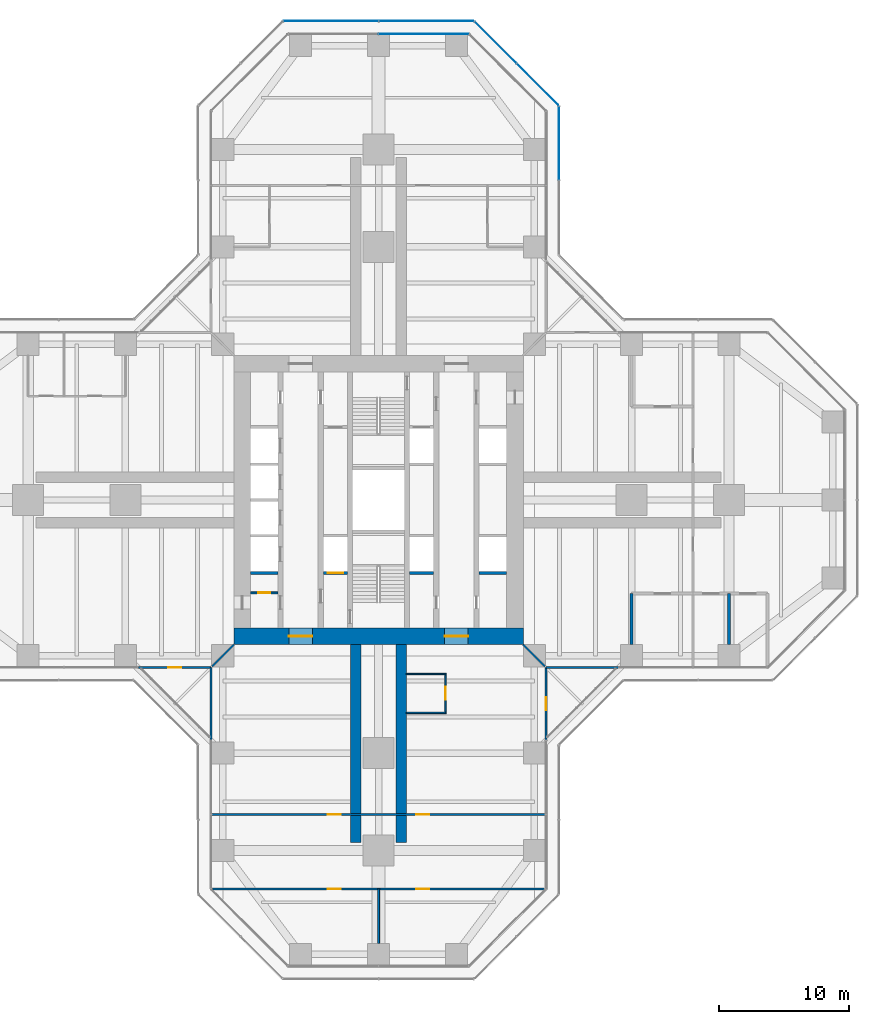
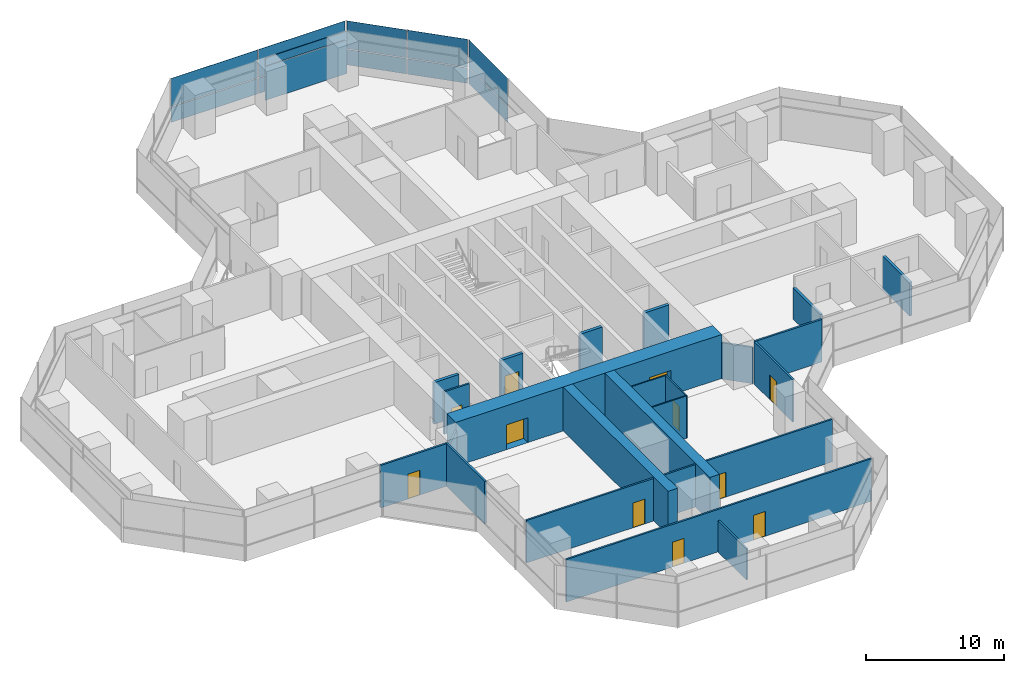
# One storey, part 17 of 22: 22 walls, 12 plates, 11 doors, 11 openings, 4 elements without a shape of their own.
"""IFC4 building model written with IfcOpenShell, lengths in metres."""

from ifc_helpers import new_model, si_unit, direction, frame, frame_2d, origin, origin_2d, place, context, subcontext, project, spatial, rectangle, extrude, material, layer, layer_set, type_object, element, fill, aggregate, save


model = new_model("IFC4")

# Units and contexts
model_context = context("Model", 3, precision=1e-05, world=origin(), true_north=direction((0.0, 1.0)))
body_context = subcontext(model_context, "Body", "Model", "MODEL_VIEW")
ifc_project = project(units=[si_unit("LENGTHUNIT", "METRE"), si_unit("AREAUNIT", "SQUARE_METRE"), si_unit("VOLUMEUNIT", "CUBIC_METRE"), si_unit("PLANEANGLEUNIT", "RADIAN"), si_unit("MASSUNIT", "GRAM", prefix="KILO")], contexts=[model_context])

# Site, building, storey
site_placement = place(None, origin())
site = spatial("IfcSite", under=ifc_project, at=site_placement, CompositionType="ELEMENT")
building_placement = place(site_placement, origin())
building = spatial("IfcBuilding", under=site, at=building_placement, Name="Mizan Broadcast Tower", CompositionType="ELEMENT")
storey_placement = place(building_placement, frame((0.0, 0.0, 86.39990234375)))
storey = spatial("IfcBuildingStorey", under=building, at=storey_placement, Name="L18", CompositionType="ELEMENT", Elevation=86.39990234375)

# Curtain wall, plates
ifc_material_1 = material(Name="Aluminium framed glazing", Category="aluminium")
curtain_wall_type_1 = type_object("IfcCurtainWallType", Name="INNER SKIN LOW ZONE", PredefinedType="USERDEFINED", material=ifc_material_1)
curtain_wall_1_placement = place(storey_placement, origin())
curtain_wall_1 = element("IfcCurtainWall", 1, at=curtain_wall_1_placement, inside=storey, type_object=curtain_wall_type_1, Name="Inner skin low zone L18 N end", ObjectType="INNER SKIN LOW ZONE", PredefinedType="USERDEFINED")
ifc_material_2 = material(Name="Double glazing, clear low-e", Category="glass")
ifc_layer_1 = layer(ifc_material_2, 0.028076171875)
ifc_layer_set_1 = layer_set([ifc_layer_1], Name="Double glazing, clear low-e")
plate_type_1 = type_object("IfcPlateType", Name="INNER SKIN GLAZING UNIT", PredefinedType="CURTAIN_PANEL", material=ifc_layer_set_1)
plate_1_placement = place(storey_placement, frame((3.46435546875, 35.89990234375, 0.0), z_axis=(0.0, 0.0, 1.0), x_axis=(-1.0, 0.0, 0.0)))
plate_1 = element("IfcPlate", 2, at=plate_1_placement, type_object=plate_type_1, Name="Inner skin low zone L18 N end panel 1.1", PredefinedType="CURTAIN_PANEL", context=body_context, shape_type="SweptSolid", body=[
    extrude(rectangle(XDim=6.86865234375, YDim=0.028076171875, at=origin_2d()), origin(), (0.0, 0.0, 1.0), 3.0),
])
ifc_material_3 = material(Name="Insulated aluminium spandrel panel, pale anodised", Category="aluminium")
ifc_layer_2 = layer(ifc_material_3, 0.050048828125)
ifc_layer_set_2 = layer_set([ifc_layer_2], Name="Insulated aluminium spandrel panel, pale anodised")
plate_type_2 = type_object("IfcPlateType", Name="INNER SKIN SPANDREL PANEL", PredefinedType="CURTAIN_PANEL", material=ifc_layer_set_2)
plate_2_placement = place(storey_placement, frame((3.46435546875, 35.89990234375, 3.06005859375), z_axis=(0.0, 0.0, 1.0), x_axis=(-1.0, 0.0, 0.0)))
plate_2 = element("IfcPlate", 3, at=plate_2_placement, type_object=plate_type_2, Name="Inner skin low zone L18 N end panel 1.2", PredefinedType="CURTAIN_PANEL", context=body_context, shape_type="SweptSolid", body=[
    extrude(rectangle(XDim=6.86865234375, YDim=0.050048828125, at=origin_2d()), origin(), (0.0, 0.0, 1.0), 0.7099609375),
])
aggregate(curtain_wall_1, [plate_1, plate_2])

ifc_material_4 = material(Name="Aluminium framed glazing", Category="aluminium")
curtain_wall_type_2 = type_object("IfcCurtainWallType", Name="OUTER SKIN", PredefinedType="USERDEFINED", material=ifc_material_4)
curtain_wall_2_placement = place(storey_placement, origin())
curtain_wall_2 = element("IfcCurtainWall", 4, at=curtain_wall_2_placement, inside=storey, type_object=curtain_wall_type_2, Name="Outer skin L18 N chamfer", ObjectType="OUTER SKIN", PredefinedType="USERDEFINED")
ifc_material_5 = material(Name="Laminated clear glass", Category="glass")
ifc_layer_3 = layer(ifc_material_5, 0.02001953125)
ifc_layer_set_3 = layer_set([ifc_layer_3], Name="Laminated clear glass")
plate_type_3 = type_object("IfcPlateType", Name="OUTER SKIN CLEAR GLASS", PredefinedType="CURTAIN_PANEL", material=ifc_layer_set_3)
plate_3_placement = place(storey_placement, frame((12.254150390625, 32.018798828125, 0.0), z_axis=(0.0, 0.0, 1.0), x_axis=(-0.707106781187, 0.707106781187, 0.0)))
plate_3 = element("IfcPlate", 5, at=plate_3_placement, type_object=plate_type_3, Name="Outer skin L18 N chamfer panel 1.1", PredefinedType="CURTAIN_PANEL", context=body_context, shape_type="SweptSolid", body=[
    extrude(rectangle(XDim=4.495361328125, YDim=0.02001953125, at=origin_2d()), origin(), (0.0, 0.0, 1.0), 1.3701171875),
])
plate_4_placement = place(storey_placement, frame((12.254150390625, 32.018798828125, 1.43017578125), z_axis=(0.0, 0.0, 1.0), x_axis=(-0.707106781187, 0.707106781187, 0.0)))
plate_4 = element("IfcPlate", 6, at=plate_4_placement, type_object=plate_type_3, Name="Outer skin L18 N chamfer panel 1.2", PredefinedType="CURTAIN_PANEL", context=body_context, shape_type="SweptSolid", body=[
    extrude(rectangle(XDim=4.495361328125, YDim=0.02001953125, at=origin_2d()), origin(), (0.0, 0.0, 1.0), 2.469970703125),
])

curtain_wall_3_placement = place(storey_placement, origin())
curtain_wall_3 = element("IfcCurtainWall", 7, at=curtain_wall_3_placement, inside=storey, type_object=curtain_wall_type_2, Name="Outer skin L18 N end", ObjectType="OUTER SKIN", PredefinedType="USERDEFINED")
plate_5_placement = place(storey_placement, frame((3.66650390625, 36.89990234375, 0.0), z_axis=(0.0, 0.0, 1.0), x_axis=(-1.0, 0.0, 0.0)))
plate_5 = element("IfcPlate", 8, at=plate_5_placement, type_object=plate_type_3, Name="Outer skin L18 N end panel 1.1", PredefinedType="CURTAIN_PANEL", context=body_context, shape_type="SweptSolid", body=[
    extrude(rectangle(XDim=7.252685546875, YDim=0.02001953125, at=origin_2d()), origin(), (0.0, 0.0, 1.0), 1.3701171875),
])
plate_6_placement = place(storey_placement, frame((3.66650390625, 36.89990234375, 1.43017578125), z_axis=(0.0, 0.0, 1.0), x_axis=(-1.0, 0.0, 0.0)))
plate_6 = element("IfcPlate", 9, at=plate_6_placement, type_object=plate_type_3, Name="Outer skin L18 N end panel 1.2", PredefinedType="CURTAIN_PANEL", context=body_context, shape_type="SweptSolid", body=[
    extrude(rectangle(XDim=7.252685546875, YDim=0.02001953125, at=origin_2d()), origin(), (0.0, 0.0, 1.0), 2.469970703125),
])
plate_7_placement = place(storey_placement, frame((-3.66650390625, 36.89990234375, 0.0), z_axis=(0.0, 0.0, 1.0), x_axis=(-1.0, 0.0, 0.0)))
plate_7 = element("IfcPlate", 10, at=plate_7_placement, type_object=plate_type_3, Name="Outer skin L18 N end panel 2.1", PredefinedType="CURTAIN_PANEL", context=body_context, shape_type="SweptSolid", body=[
    extrude(rectangle(XDim=7.252685546875, YDim=0.02001953125, at=origin_2d()), origin(), (0.0, 0.0, 1.0), 1.3701171875),
])
plate_8_placement = place(storey_placement, frame((-3.66650390625, 36.89990234375, 1.43017578125), z_axis=(0.0, 0.0, 1.0), x_axis=(-1.0, 0.0, 0.0)))
plate_8 = element("IfcPlate", 11, at=plate_8_placement, type_object=plate_type_3, Name="Outer skin L18 N end panel 2.2", PredefinedType="CURTAIN_PANEL", context=body_context, shape_type="SweptSolid", body=[
    extrude(rectangle(XDim=7.252685546875, YDim=0.02001953125, at=origin_2d()), origin(), (0.0, 0.0, 1.0), 2.469970703125),
])
aggregate(curtain_wall_3, [plate_5, plate_6, plate_7, plate_8])

curtain_wall_4_placement = place(storey_placement, origin())
curtain_wall_4 = element("IfcCurtainWall", 12, at=curtain_wall_4_placement, inside=storey, type_object=curtain_wall_type_2, Name="Outer skin L18 N side", ObjectType="OUTER SKIN", PredefinedType="USERDEFINED")
ifc_material_6 = material(Name="Perforated aluminium, pale anodised", Category="aluminium")
ifc_layer_4 = layer(ifc_material_6, 0.011962890625)
ifc_layer_set_4 = layer_set([ifc_layer_4], Name="Perforated aluminium, pale anodised")
plate_type_4 = type_object("IfcPlateType", Name="OUTER SKIN PERFORATED SCREEN", PredefinedType="USERDEFINED", material=ifc_layer_set_4)
plate_9_placement = place(storey_placement, frame((13.89990234375, 27.477783203125, 0.0), z_axis=(0.0, 0.0, 1.0), x_axis=(0.0, 1.0, 0.0)))
plate_9 = element("IfcPlate", 13, at=plate_9_placement, type_object=plate_type_4, Name="Outer skin L18 N side panel 2.1", ObjectType="SCREEN", PredefinedType="USERDEFINED", context=body_context, shape_type="SweptSolid", body=[
    extrude(rectangle(XDim=5.6298828125, YDim=0.011962890625, at=origin_2d()), origin(), (0.0, 0.0, 1.0), 1.3701171875),
])
plate_10_placement = place(storey_placement, frame((13.89990234375, 27.477783203125, 1.43017578125), z_axis=(0.0, 0.0, 1.0), x_axis=(0.0, 1.0, 0.0)))
plate_10 = element("IfcPlate", 14, at=plate_10_placement, type_object=plate_type_4, Name="Outer skin L18 N side panel 2.2", ObjectType="SCREEN", PredefinedType="USERDEFINED", context=body_context, shape_type="SweptSolid", body=[
    extrude(rectangle(XDim=5.6298828125, YDim=0.011962890625, at=origin_2d()), origin(), (0.0, 0.0, 1.0), 2.469970703125),
])
aggregate(curtain_wall_4, [plate_9, plate_10])

# Plate
plate_11_placement = place(storey_placement, frame((9.018798828125, 35.254150390625, 0.0), z_axis=(0.0, 0.0, 1.0), x_axis=(-0.707106781187, 0.707106781187, 0.0)))
plate_11 = element("IfcPlate", 15, at=plate_11_placement, type_object=plate_type_4, Name="Outer skin L18 N chamfer panel 2.1", ObjectType="SCREEN", PredefinedType="USERDEFINED", context=body_context, shape_type="SweptSolid", body=[
    extrude(rectangle(XDim=4.495361328125, YDim=0.011962890625, at=origin_2d()), origin(), (0.0, 0.0, 1.0), 1.3701171875),
])

plate_12_placement = place(storey_placement, frame((9.018798828125, 35.254150390625, 1.43017578125), z_axis=(0.0, 0.0, 1.0), x_axis=(-0.707106781187, 0.707106781187, 0.0)))
plate_12 = element("IfcPlate", 16, at=plate_12_placement, type_object=plate_type_4, Name="Outer skin L18 N chamfer panel 2.2", ObjectType="SCREEN", PredefinedType="USERDEFINED", context=body_context, shape_type="SweptSolid", body=[
    extrude(rectangle(XDim=4.495361328125, YDim=0.011962890625, at=origin_2d()), origin(), (0.0, 0.0, 1.0), 2.469970703125),
])

aggregate(curtain_wall_2, [plate_3, plate_4, plate_11, plate_12])

# Wall, opening, door
ifc_material_7 = material(Name="Concrete blockwork", Category="masonry")
ifc_layer_5 = layer(ifc_material_7, 0.14990234375)
ifc_layer_set_5 = layer_set([ifc_layer_5], Name="Concrete blockwork")
wall_type_1 = type_object("IfcWallType", Name="CORE PARTITION 150", PredefinedType="SOLIDWALL", material=ifc_layer_set_5)
wall_1_placement = place(storey_placement, frame((-9.85009765625, -7.14990234375, 0.0), z_axis=(0.0, 0.0, 1.0), x_axis=(1.0, 0.0, 0.0)))
wall_1 = element("IfcWall", 17, at=wall_1_placement, inside=storey, type_object=wall_type_1, Name="Core partition CORE/XPW", PredefinedType="SOLIDWALL", context=body_context, shape_type="SweptSolid", body=[
    extrude(rectangle(XDim=2.10009765625, YDim=0.14990234375, at=frame_2d((1.050048828125, 0.0))), origin(), (0.0, 0.0, 1.0), 3.77001953125),
])
opening_1_placement = place(wall_1_placement, frame((0.60009765625, 0.0, 0.0)))
opening_1 = element("IfcOpeningElement", 18, at=opening_1_placement, cuts=wall_1, Name="Opening D09F", PredefinedType="OPENING", context=body_context, shape_type="SweptSolid", body=[
    extrude(rectangle(XDim=0.89990234375, YDim=2.10009765625, at=frame_2d((0.449951171875, 1.050048828125))), frame((0.0, 0.0849609375, 0.0), z_axis=(0.0, -1.0, 0.0), x_axis=(1.0, 0.0, 0.0)), (0.0, 0.0, 1.0), 0.169921875),
])
ifc_material_8 = material(Name="Steel door leaf in steel frame", Category="steel")
door_type_1 = type_object("IfcDoorType", Name="CORE ROOM DOOR 900 FD90", OperationType="SINGLE_SWING_LEFT", PredefinedType="DOOR", material=ifc_material_8)
door_1_placement = place(opening_1_placement, origin())
door_1 = element("IfcDoor", 19, at=door_1_placement, inside=storey, type_object=door_type_1, Name="Comms cupboard door", OperationType="SINGLE_SWING_RIGHT", OverallHeight=2.10009765625, OverallWidth=0.89990234375, PredefinedType="DOOR", context=body_context, shape_type="SweptSolid", body=[
    extrude(rectangle(XDim=0.89990234375, YDim=2.10009765625, at=frame_2d((0.449951171875, 1.050048828125))), frame((0.0, 0.02490234375, 0.0), z_axis=(0.0, -1.0, 0.0), x_axis=(1.0, 0.0, 0.0)), (0.0, 0.0, 1.0), 0.050048828125),
])
fill(opening_1, door_1)

# Wall, openings, doors
ifc_material_9 = material(Name="Concrete C70/85", Category="concrete")
ifc_layer_6 = layer(ifc_material_9, 1.300048828125)
ifc_layer_set_6 = layer_set([ifc_layer_6], Name="Concrete C70/85")
wall_type_2 = type_object("IfcWallType", Name="CORE WALL 1300", PredefinedType="SHEAR", material=ifc_layer_set_6)
wall_2_placement = place(storey_placement, frame((11.14990234375, -10.5, 0.0), z_axis=(0.0, 0.0, 1.0), x_axis=(-1.0, 0.0, 0.0)))
wall_2 = element("IfcWall", 20, at=wall_2_placement, inside=storey, type_object=wall_type_2, Name="Core wall S L18", PredefinedType="SHEAR", context=body_context, shape_type="SweptSolid", body=[
    extrude(rectangle(XDim=22.2998046875, YDim=1.300048828125, at=frame_2d((11.14990234375, 0.0))), origin(), (0.0, 0.0, 1.0), 3.900146484375),
])
opening_2_placement = place(wall_2_placement, frame((16.25, 0.0, 0.0)))
opening_2 = element("IfcOpeningElement", 21, at=opening_2_placement, cuts=wall_2, Name="Opening D18F", PredefinedType="OPENING", context=body_context, shape_type="SweptSolid", body=[
    extrude(rectangle(XDim=1.800048828125, YDim=2.199951171875, at=frame_2d((0.89990234375, 1.10009765625))), frame((0.0, 0.659912109375, 0.0), z_axis=(0.0, -1.0, 0.0), x_axis=(1.0, 0.0, 0.0)), (0.0, 0.0, 1.0), 1.320068359375),
])
opening_3_placement = place(wall_2_placement, frame((4.25, 0.0, 0.0)))
opening_3 = element("IfcOpeningElement", 22, at=opening_3_placement, cuts=wall_2, Name="Opening D18F", PredefinedType="OPENING", context=body_context, shape_type="SweptSolid", body=[
    extrude(rectangle(XDim=1.800048828125, YDim=2.199951171875, at=frame_2d((0.89990234375, 1.10009765625))), frame((0.0, 0.659912109375, 0.0), z_axis=(0.0, -1.0, 0.0), x_axis=(1.0, 0.0, 0.0)), (0.0, 0.0, 1.0), 1.320068359375),
])
ifc_material_10 = material(Name="Steel door leaf in steel frame", Category="steel")
door_type_2 = type_object("IfcDoorType", Name="LOBBY DOUBLE DOOR 1800 FD90", OperationType="DOUBLE_DOOR_DOUBLE_SWING", PredefinedType="DOOR", material=ifc_material_10)
door_2_placement = place(opening_2_placement, origin())
door_2 = element("IfcDoor", 23, at=door_2_placement, inside=storey, type_object=door_type_2, Name="West lift lobby south door", OperationType="DOUBLE_DOOR_DOUBLE_SWING", OverallHeight=2.199951171875, OverallWidth=1.800048828125, PredefinedType="DOOR", context=body_context, shape_type="SweptSolid", body=[
    extrude(rectangle(XDim=1.800048828125, YDim=2.199951171875, at=frame_2d((0.89990234375, 1.10009765625))), frame((0.0, 0.02490234375, 0.0), z_axis=(0.0, -1.0, 0.0), x_axis=(1.0, 0.0, 0.0)), (0.0, 0.0, 1.0), 0.050048828125),
])
fill(opening_2, door_2)
door_3_placement = place(opening_3_placement, origin())
door_3 = element("IfcDoor", 24, at=door_3_placement, inside=storey, type_object=door_type_2, Name="East lift lobby south door", OperationType="DOUBLE_DOOR_DOUBLE_SWING", OverallHeight=2.199951171875, OverallWidth=1.800048828125, PredefinedType="DOOR", context=body_context, shape_type="SweptSolid", body=[
    extrude(rectangle(XDim=1.800048828125, YDim=2.199951171875, at=frame_2d((0.89990234375, 1.10009765625))), frame((0.0, 0.02490234375, 0.0), z_axis=(0.0, -1.0, 0.0), x_axis=(1.0, 0.0, 0.0)), (0.0, 0.0, 1.0), 0.050048828125),
])
fill(opening_3, door_3)

# Wall
ifc_material_11 = material(Name="Aluminium framed glazed screen", Category="aluminium")
ifc_layer_7 = layer(ifc_material_11, 0.159912109375)
ifc_layer_set_7 = layer_set([ifc_layer_7], Name="Aluminium framed glazed screen")
wall_type_3 = type_object("IfcWallType", Name="GLAZED SCREEN WALL 160", PredefinedType="SOLIDWALL", material=ifc_layer_set_7)
wall_3_placement = place(storey_placement, frame((12.89990234375, -12.89990234375, 0.0), z_axis=(0.0, 0.0, 1.0), x_axis=(1.0, 0.0, 0.0)))
element("IfcWall", 25, at=wall_3_placement, inside=storey, type_object=wall_type_3, Name="Winter garden screen L18 E", PredefinedType="SOLIDWALL", context=body_context, shape_type="SweptSolid", body=[
    extrude(rectangle(XDim=5.60009765625, YDim=0.159912109375, at=frame_2d((2.800048828125, 0.0))), origin(), (0.0, 0.0, 1.0), 3.77001953125),
])

# Wall, opening, door
wall_4_placement = place(storey_placement, frame((-18.5, -12.89990234375, 0.0), z_axis=(0.0, 0.0, 1.0), x_axis=(1.0, 0.0, 0.0)))
wall_4 = element("IfcWall", 26, at=wall_4_placement, inside=storey, type_object=wall_type_3, Name="Winter garden screen L18 W", PredefinedType="SOLIDWALL", context=body_context, shape_type="SweptSolid", body=[
    extrude(rectangle(XDim=5.60009765625, YDim=0.159912109375, at=frame_2d((2.800048828125, 0.0))), origin(), (0.0, 0.0, 1.0), 3.77001953125),
])
opening_4_placement = place(wall_4_placement, frame((2.300048828125, 0.0, 0.0)))
opening_4 = element("IfcOpeningElement", 27, at=opening_4_placement, cuts=wall_4, Name="Opening WGD", PredefinedType="OPENING", context=body_context, shape_type="SweptSolid", body=[
    extrude(rectangle(XDim=1.0, YDim=2.199951171875, at=frame_2d((0.5, 1.10009765625))), frame((0.0, 0.08984375, 0.0), z_axis=(0.0, -1.0, 0.0), x_axis=(1.0, 0.0, 0.0)), (0.0, 0.0, 1.0), 0.179931640625),
])
ifc_material_12 = material(Name="Aluminium framed glazed door", Category="aluminium")
door_type_3 = type_object("IfcDoorType", Name="WINTER GARDEN DOOR 1000 GLAZED", OperationType="SINGLE_SWING_LEFT", PredefinedType="DOOR", material=ifc_material_12)
door_4_placement = place(opening_4_placement, origin())
door_4 = element("IfcDoor", 28, at=door_4_placement, inside=storey, type_object=door_type_3, Name="Winter garden door L18 W", OperationType="SINGLE_SWING_RIGHT", OverallHeight=2.199951171875, OverallWidth=1.0, PredefinedType="DOOR", context=body_context, shape_type="SweptSolid", body=[
    extrude(rectangle(XDim=1.0, YDim=2.199951171875, at=frame_2d((0.5, 1.10009765625))), frame((0.0, 0.02490234375, 0.0), z_axis=(0.0, -1.0, 0.0), x_axis=(1.0, 0.0, 0.0)), (0.0, 0.0, 1.0), 0.050048828125),
])
fill(opening_4, door_4)

# Wall
wall_5_placement = place(storey_placement, frame((-12.89990234375, -12.89990234375, 0.0), z_axis=(0.0, 0.0, 1.0), x_axis=(0.0, -1.0, 0.0)))
element("IfcWall", 29, at=wall_5_placement, inside=storey, type_object=wall_type_3, Name="Winter garden screen L18 S", PredefinedType="SOLIDWALL", context=body_context, shape_type="SweptSolid", body=[
    extrude(rectangle(XDim=5.60009765625, YDim=0.159912109375, at=frame_2d((2.800048828125, 0.0))), origin(), (0.0, 0.0, 1.0), 3.77001953125),
])

# Wall, opening, door
wall_6_placement = place(storey_placement, frame((12.89990234375, -18.5, 0.0), z_axis=(0.0, 0.0, 1.0), x_axis=(0.0, 1.0, 0.0)))
wall_6 = element("IfcWall", 30, at=wall_6_placement, inside=storey, type_object=wall_type_3, Name="Winter garden screen L18 S", PredefinedType="SOLIDWALL", context=body_context, shape_type="SweptSolid", body=[
    extrude(rectangle(XDim=5.60009765625, YDim=0.159912109375, at=frame_2d((2.800048828125, 0.0))), origin(), (0.0, 0.0, 1.0), 3.77001953125),
])
opening_5_placement = place(wall_6_placement, frame((2.300048828125, 0.0, 0.0)))
opening_5 = element("IfcOpeningElement", 31, at=opening_5_placement, cuts=wall_6, Name="Opening WGD", PredefinedType="OPENING", context=body_context, shape_type="SweptSolid", body=[
    extrude(rectangle(XDim=1.0, YDim=2.199951171875, at=frame_2d((0.5, 1.10009765625))), frame((0.0, 0.08984375, 0.0), z_axis=(0.0, -1.0, 0.0), x_axis=(1.0, 0.0, 0.0)), (0.0, 0.0, 1.0), 0.179931640625),
])
door_5_placement = place(opening_5_placement, origin())
door_5 = element("IfcDoor", 32, at=door_5_placement, inside=storey, type_object=door_type_3, Name="Winter garden door L18 S", OperationType="SINGLE_SWING_RIGHT", OverallHeight=2.199951171875, OverallWidth=1.0, PredefinedType="DOOR", context=body_context, shape_type="SweptSolid", body=[
    extrude(rectangle(XDim=1.0, YDim=2.199951171875, at=frame_2d((0.5, 1.10009765625))), frame((0.0, 0.02490234375, 0.0), z_axis=(0.0, -1.0, 0.0), x_axis=(1.0, 0.0, 0.0)), (0.0, 0.0, 1.0), 0.050048828125),
])
fill(opening_5, door_5)

# Wall
ifc_material_13 = material(Name="Concrete blockwork", Category="masonry")
ifc_layer_8 = layer(ifc_material_13, 0.25)
ifc_layer_set_8 = layer_set([ifc_layer_8], Name="Concrete blockwork")
wall_type_4 = type_object("IfcWallType", Name="LOBBY ENCLOSURE WALL 250", PredefinedType="SOLIDWALL", material=ifc_layer_set_8)
wall_7_placement = place(storey_placement, frame((-9.85009765625, -5.625, 0.0), z_axis=(0.0, 0.0, 1.0), x_axis=(1.0, 0.0, 0.0)))
element("IfcWall", 33, at=wall_7_placement, inside=storey, type_object=wall_type_4, Name="Lobby enclosure wall CORE/BW1S", PredefinedType="SOLIDWALL", context=body_context, shape_type="SweptSolid", body=[
    extrude(rectangle(XDim=2.10009765625, YDim=0.25, at=frame_2d((1.050048828125, 0.0))), origin(), (0.0, 0.0, 1.0), 3.7001953125),
])

# Wall, opening, door
wall_8_placement = place(storey_placement, frame((-4.25, -5.625, 0.0), z_axis=(0.0, 0.0, 1.0), x_axis=(1.0, 0.0, 0.0)))
wall_8 = element("IfcWall", 34, at=wall_8_placement, inside=storey, type_object=wall_type_4, Name="Lobby enclosure wall CORE/BW2S", PredefinedType="SOLIDWALL", context=body_context, shape_type="SweptSolid", body=[
    extrude(rectangle(XDim=1.85009765625, YDim=0.25, at=frame_2d((0.925048828125, 0.0))), origin(), (0.0, 0.0, 1.0), 3.7001953125),
])
opening_6_placement = place(wall_8_placement, frame((0.324951171875, 0.0, 0.0)))
opening_6 = element("IfcOpeningElement", 35, at=opening_6_placement, cuts=wall_8, Name="Opening LDF", PredefinedType="OPENING", context=body_context, shape_type="SweptSolid", body=[
    extrude(rectangle(XDim=1.199951171875, YDim=2.199951171875, at=frame_2d((0.60009765625, 1.10009765625))), frame((0.0, 0.135009765625, 0.0), z_axis=(0.0, -1.0, 0.0), x_axis=(1.0, 0.0, 0.0)), (0.0, 0.0, 1.0), 0.27001953125),
])
ifc_material_14 = material(Name="Steel door leaf in steel frame", Category="steel")
door_type_4 = type_object("IfcDoorType", Name="FIREFIGHTING LIFT LANDING DOOR 1200", OperationType="SLIDING_TO_LEFT", PredefinedType="DOOR", material=ifc_material_14)
door_6_placement = place(opening_6_placement, origin())
door_6 = element("IfcDoor", 36, at=door_6_placement, inside=storey, type_object=door_type_4, Name="Landing door FF1", OperationType="SLIDING_TO_LEFT", OverallHeight=2.199951171875, OverallWidth=1.199951171875, PredefinedType="DOOR", context=body_context, shape_type="SweptSolid", body=[
    extrude(rectangle(XDim=1.199951171875, YDim=2.199951171875, at=frame_2d((0.60009765625, 1.10009765625))), frame((0.0, 0.02490234375, 0.0), z_axis=(0.0, -1.0, 0.0), x_axis=(1.0, 0.0, 0.0)), (0.0, 0.0, 1.0), 0.050048828125),
])
fill(opening_6, door_6)

# Walls
wall_9_placement = place(storey_placement, frame((2.39990234375, -5.625, 0.0), z_axis=(0.0, 0.0, 1.0), x_axis=(1.0, 0.0, 0.0)))
element("IfcWall", 37, at=wall_9_placement, inside=storey, type_object=wall_type_4, Name="Lobby enclosure wall CORE/BE2S", PredefinedType="SOLIDWALL", context=body_context, shape_type="SweptSolid", body=[
    extrude(rectangle(XDim=1.85009765625, YDim=0.25, at=frame_2d((0.925048828125, 0.0))), origin(), (0.0, 0.0, 1.0), 3.7001953125),
])
wall_10_placement = place(storey_placement, frame((7.75, -5.625, 0.0), z_axis=(0.0, 0.0, 1.0), x_axis=(1.0, 0.0, 0.0)))
element("IfcWall", 38, at=wall_10_placement, inside=storey, type_object=wall_type_4, Name="Lobby enclosure wall CORE/BE1S", PredefinedType="SOLIDWALL", context=body_context, shape_type="SweptSolid", body=[
    extrude(rectangle(XDim=2.10009765625, YDim=0.25, at=frame_2d((1.050048828125, 0.0))), origin(), (0.0, 0.0, 1.0), 3.7001953125),
])

# Wall, openings, doors
ifc_material_15 = material(Name="Gypsum board on steel studs", Category="steel")
ifc_layer_9 = layer(ifc_material_15, 0.14990234375)
ifc_layer_set_9 = layer_set([ifc_layer_9], Name="Gypsum board on steel studs")
wall_type_5 = type_object("IfcWallType", Name="PARTITION 150", PredefinedType="PARTITIONING", material=ifc_layer_set_9)
wall_11_placement = place(storey_placement, frame((-12.820068359375, -24.22900390625, 0.0), z_axis=(0.0, 0.0, 1.0), x_axis=(1.0, 0.0, 0.0)))
wall_11 = element("IfcWall", 39, at=wall_11_placement, inside=storey, type_object=wall_type_5, Name="Partition PT/SX1", PredefinedType="PARTITIONING", context=body_context, shape_type="SweptSolid", body=[
    extrude(rectangle(XDim=25.64013671875, YDim=0.14990234375, at=frame_2d((12.820068359375, 0.0))), origin(), (0.0, 0.0, 1.0), 3.77001953125),
])
opening_7_placement = place(wall_11_placement, frame((15.719970703125, 0.0, 0.0)))
opening_7 = element("IfcOpeningElement", 40, at=opening_7_placement, cuts=wall_11, Name="Opening D10", PredefinedType="OPENING", context=body_context, shape_type="SweptSolid", body=[
    extrude(rectangle(XDim=1.0, YDim=2.199951171875, at=frame_2d((0.5, 1.10009765625))), frame((0.0, 0.0849609375, 0.0), z_axis=(0.0, -1.0, 0.0), x_axis=(1.0, 0.0, 0.0)), (0.0, 0.0, 1.0), 0.169921875),
])
opening_8_placement = place(wall_11_placement, frame((8.919921875, 0.0, 0.0)))
opening_8 = element("IfcOpeningElement", 41, at=opening_8_placement, cuts=wall_11, Name="Opening D10", PredefinedType="OPENING", context=body_context, shape_type="SweptSolid", body=[
    extrude(rectangle(XDim=1.0, YDim=2.199951171875, at=frame_2d((0.5, 1.10009765625))), frame((0.0, 0.0849609375, 0.0), z_axis=(0.0, -1.0, 0.0), x_axis=(1.0, 0.0, 0.0)), (0.0, 0.0, 1.0), 0.169921875),
])
ifc_material_16 = material(Name="Timber door leaf in aluminium frame", Category="wood")
door_type_5 = type_object("IfcDoorType", Name="ROOM DOOR 1000", OperationType="SINGLE_SWING_LEFT", PredefinedType="DOOR", material=ifc_material_16)
door_7_placement = place(opening_7_placement, origin())
door_7 = element("IfcDoor", 42, at=door_7_placement, inside=storey, type_object=door_type_5, Name="Open office door", OperationType="SINGLE_SWING_RIGHT", OverallHeight=2.199951171875, OverallWidth=1.0, PredefinedType="DOOR", context=body_context, shape_type="SweptSolid", body=[
    extrude(rectangle(XDim=1.0, YDim=2.199951171875, at=frame_2d((0.5, 1.10009765625))), frame((0.0, 0.02490234375, 0.0), z_axis=(0.0, -1.0, 0.0), x_axis=(1.0, 0.0, 0.0)), (0.0, 0.0, 1.0), 0.050048828125),
])
fill(opening_7, door_7)
door_8_placement = place(opening_8_placement, origin())
door_8 = element("IfcDoor", 43, at=door_8_placement, inside=storey, type_object=door_type_5, Name="Open office door", OperationType="SINGLE_SWING_LEFT", OverallHeight=2.199951171875, OverallWidth=1.0, PredefinedType="DOOR", context=body_context, shape_type="SweptSolid", body=[
    extrude(rectangle(XDim=1.0, YDim=2.199951171875, at=frame_2d((0.5, 1.10009765625))), frame((0.0, 0.02490234375, 0.0), z_axis=(0.0, -1.0, 0.0), x_axis=(1.0, 0.0, 0.0)), (0.0, 0.0, 1.0), 0.050048828125),
])
fill(opening_8, door_8)

wall_12_placement = place(storey_placement, frame((-12.786376953125, -29.958984375, 0.0), z_axis=(0.0, 0.0, 1.0), x_axis=(1.0, 0.0, 0.0)))
wall_12 = element("IfcWall", 44, at=wall_12_placement, inside=storey, type_object=wall_type_5, Name="Partition PT/SX2", PredefinedType="PARTITIONING", context=body_context, shape_type="SweptSolid", body=[
    extrude(rectangle(XDim=25.57275390625, YDim=0.14990234375, at=frame_2d((12.786376953125, 0.0))), origin(), (0.0, 0.0, 1.0), 3.77001953125),
])
opening_9_placement = place(wall_12_placement, frame((15.6865234375, 0.0, 0.0)))
opening_9 = element("IfcOpeningElement", 45, at=opening_9_placement, cuts=wall_12, Name="Opening D10", PredefinedType="OPENING", context=body_context, shape_type="SweptSolid", body=[
    extrude(rectangle(XDim=1.0, YDim=2.199951171875, at=frame_2d((0.5, 1.10009765625))), frame((0.0, 0.0849609375, 0.0), z_axis=(0.0, -1.0, 0.0), x_axis=(1.0, 0.0, 0.0)), (0.0, 0.0, 1.0), 0.169921875),
])
opening_10_placement = place(wall_12_placement, frame((8.886474609375, 0.0, 0.0)))
opening_10 = element("IfcOpeningElement", 46, at=opening_10_placement, cuts=wall_12, Name="Opening D10", PredefinedType="OPENING", context=body_context, shape_type="SweptSolid", body=[
    extrude(rectangle(XDim=1.0, YDim=2.199951171875, at=frame_2d((0.5, 1.10009765625))), frame((0.0, 0.0849609375, 0.0), z_axis=(0.0, -1.0, 0.0), x_axis=(1.0, 0.0, 0.0)), (0.0, 0.0, 1.0), 0.169921875),
])
door_9_placement = place(opening_9_placement, origin())
door_9 = element("IfcDoor", 47, at=door_9_placement, inside=storey, type_object=door_type_5, Name="Open office door", OperationType="SINGLE_SWING_RIGHT", OverallHeight=2.199951171875, OverallWidth=1.0, PredefinedType="DOOR", context=body_context, shape_type="SweptSolid", body=[
    extrude(rectangle(XDim=1.0, YDim=2.199951171875, at=frame_2d((0.5, 1.10009765625))), frame((0.0, 0.02490234375, 0.0), z_axis=(0.0, -1.0, 0.0), x_axis=(1.0, 0.0, 0.0)), (0.0, 0.0, 1.0), 0.050048828125),
])
fill(opening_9, door_9)
door_10_placement = place(opening_10_placement, origin())
door_10 = element("IfcDoor", 48, at=door_10_placement, inside=storey, type_object=door_type_5, Name="Open office door", OperationType="SINGLE_SWING_LEFT", OverallHeight=2.199951171875, OverallWidth=1.0, PredefinedType="DOOR", context=body_context, shape_type="SweptSolid", body=[
    extrude(rectangle(XDim=1.0, YDim=2.199951171875, at=frame_2d((0.5, 1.10009765625))), frame((0.0, 0.02490234375, 0.0), z_axis=(0.0, -1.0, 0.0), x_axis=(1.0, 0.0, 0.0)), (0.0, 0.0, 1.0), 0.050048828125),
])
fill(opening_10, door_10)

# Walls
wall_13_placement = place(storey_placement, frame((0.0, -29.958984375, 0.0), z_axis=(0.0, 0.0, 1.0), x_axis=(0.0, -1.0, 0.0)))
element("IfcWall", 49, at=wall_13_placement, inside=storey, type_object=wall_type_5, Name="Partition PT/SES", PredefinedType="PARTITIONING", context=body_context, shape_type="SweptSolid", body=[
    extrude(rectangle(XDim=4.19091796875, YDim=0.14990234375, at=frame_2d((2.095458984375, 0.0))), origin(), (0.0, 0.0, 1.0), 2.77001953125),
])
for number, where, z_axis, x_axis, name in (
    (50, (-11.14990234375, -11.14990234375, 0.0), (0.0, 0.0, 1.0), (-0.707106781187, -0.707106781187, 0.0), "Partition PT/DGWS"),
    (51, (11.14990234375, -11.14990234375, 0.0), (0.0, 0.0, 1.0), (0.707106781187, -0.707106781187, 0.0), "Partition PT/DGES"),
):
    element("IfcWall", number, at=place(storey_placement, frame(where, z_axis=z_axis, x_axis=x_axis)), inside=storey, type_object=wall_type_5, Name=name, PredefinedType="PARTITIONING", context=body_context, shape_type="SweptSolid", body=[
        extrude(rectangle(XDim=2.362060546875, YDim=0.14990234375, at=frame_2d((1.18115234375, 0.0))), origin(), (0.0, 0.0, 1.0), 3.22021484375),
    ])
ifc_material_17 = material(Name="Twin steel stud acoustic partition, four layers of gypsum board", Category="steel")
ifc_layer_10 = layer(ifc_material_17, 0.22509765625)
ifc_layer_set_10 = layer_set([ifc_layer_10], Name="Twin steel stud acoustic partition, four layers of gypsum board")
wall_type_6 = type_object("IfcWallType", Name="PARTITION ACOUSTIC 225", PredefinedType="PARTITIONING", material=ifc_layer_set_10)
wall_14_placement = place(storey_placement, frame((19.5, -7.199951171875, 0.0), z_axis=(0.0, 0.0, 1.0), x_axis=(0.0, -1.0, 0.0)))
element("IfcWall", 52, at=wall_14_placement, inside=storey, type_object=wall_type_6, Name="Acoustic partition PT/EQN1950", PredefinedType="PARTITIONING", context=body_context, shape_type="SweptSolid", body=[
    extrude(rectangle(XDim=3.949951171875, YDim=0.22509765625, at=frame_2d((1.97509765625, 0.0))), origin(), (0.0, 0.0, 1.0), 2.77001953125),
])
wall_15_placement = place(storey_placement, frame((27.0, -7.199951171875, 0.0), z_axis=(0.0, 0.0, 1.0), x_axis=(0.0, -1.0, 0.0)))
element("IfcWall", 53, at=wall_15_placement, inside=storey, type_object=wall_type_6, Name="Acoustic partition PT/EQN2700", PredefinedType="PARTITIONING", context=body_context, shape_type="SweptSolid", body=[
    extrude(rectangle(XDim=3.949951171875, YDim=0.22509765625, at=frame_2d((1.97509765625, 0.0))), origin(), (0.0, 0.0, 1.0), 2.97021484375),
])
ifc_material_18 = material(Name="Glazed aluminium partition on aluminium track", Category="aluminium")
ifc_layer_11 = layer(ifc_material_18, 0.10009765625)
ifc_layer_set_11 = layer_set([ifc_layer_11], Name="Glazed aluminium partition on aluminium track")
wall_type_7 = type_object("IfcWallType", Name="PARTITION GLAZED OFFICE FRONT 100", PredefinedType="PARTITIONING", material=ifc_layer_set_11)
for number, where, z_axis, x_axis, name in (
    (54, (2.14990234375, -13.39990234375, 0.0), (0.0, 0.0, 1.0), (1.0, 0.0, 0.0), "Glazed office front PT/SKP0a"),
    (55, (2.14990234375, -16.39990234375, 0.0), (0.0, 0.0, 1.0), (1.0, 0.0, 0.0), "Glazed office front PT/SKP0b"),
):
    element("IfcWall", number, at=place(storey_placement, frame(where, z_axis=z_axis, x_axis=x_axis)), inside=storey, type_object=wall_type_7, Name=name, PredefinedType="PARTITIONING", context=body_context, shape_type="SweptSolid", body=[
        extrude(rectangle(XDim=3.0, YDim=0.10009765625, at=frame_2d((1.5, 0.0))), origin(), (0.0, 0.0, 1.0), 3.77001953125),
    ])

# Wall, opening, door
wall_16_placement = place(storey_placement, frame((5.14990234375, -13.35009765625, 0.0), z_axis=(0.0, 0.0, 1.0), x_axis=(0.0, -1.0, 0.0)))
wall_16 = element("IfcWall", 56, at=wall_16_placement, inside=storey, type_object=wall_type_7, Name="Glazed office front PT/SKP0f", PredefinedType="PARTITIONING", context=body_context, shape_type="SweptSolid", body=[
    extrude(rectangle(XDim=3.099853515625, YDim=0.10009765625, at=frame_2d((1.5498046875, 0.0))), origin(), (0.0, 0.0, 1.0), 3.77001953125),
])
opening_11_placement = place(wall_16_placement, frame((1.050048828125, 0.0, 0.0)))
opening_11 = element("IfcOpeningElement", 57, at=opening_11_placement, cuts=wall_16, Name="Opening D10O", PredefinedType="OPENING", context=body_context, shape_type="SweptSolid", body=[
    extrude(rectangle(XDim=1.0, YDim=2.199951171875, at=frame_2d((0.5, 1.10009765625))), frame((0.0, 0.06005859375, 0.0), z_axis=(0.0, -1.0, 0.0), x_axis=(1.0, 0.0, 0.0)), (0.0, 0.0, 1.0), 0.1201171875),
])
ifc_material_19 = material(Name="Timber door leaf in aluminium frame", Category="wood")
door_type_6 = type_object("IfcDoorType", Name="OFFICE DOOR 1000 GLAZED", OperationType="SINGLE_SWING_LEFT", PredefinedType="DOOR", material=ifc_material_19)
door_11_placement = place(opening_11_placement, origin())
door_11 = element("IfcDoor", 58, at=door_11_placement, inside=storey, type_object=door_type_6, Name="Pantry door", OperationType="SINGLE_SWING_LEFT", OverallHeight=2.199951171875, OverallWidth=1.0, PredefinedType="DOOR", context=body_context, shape_type="SweptSolid", body=[
    extrude(rectangle(XDim=1.0, YDim=2.199951171875, at=frame_2d((0.5, 1.10009765625))), frame((0.0, 0.02490234375, 0.0), z_axis=(0.0, -1.0, 0.0), x_axis=(1.0, 0.0, 0.0)), (0.0, 0.0, 1.0), 0.050048828125),
])
fill(opening_11, door_11)

# Walls
ifc_material_20 = material(Name="Concrete C70/85", Category="concrete")
ifc_layer_12 = layer(ifc_material_20, 0.800048828125)
ifc_layer_set_12 = layer_set([ifc_layer_12], Name="Concrete C70/85")
wall_type_8 = type_object("IfcWallType", Name="SPINE WALL 800", PredefinedType="SHEAR", material=ifc_layer_set_12)
for number, where, z_axis, x_axis, name in (
    (59, (-1.75, -11.14990234375, 0.0), (0.0, 0.0, 1.0), (0.0, -1.0, 0.0), "Spine wall SR L18"),
    (60, (1.75, -11.14990234375, 0.0), (0.0, 0.0, 1.0), (0.0, -1.0, 0.0), "Spine wall SL L18"),
):
    element("IfcWall", number, at=place(storey_placement, frame(where, z_axis=z_axis, x_axis=x_axis)), inside=storey, type_object=wall_type_8, Name=name, PredefinedType="SHEAR", context=body_context, shape_type="SweptSolid", body=[
        extrude(rectangle(XDim=15.25, YDim=0.800048828125, at=frame_2d((7.625, 0.0))), origin(), (0.0, 0.0, 1.0), 3.900146484375),
    ])

save(model, "model.ifc")
